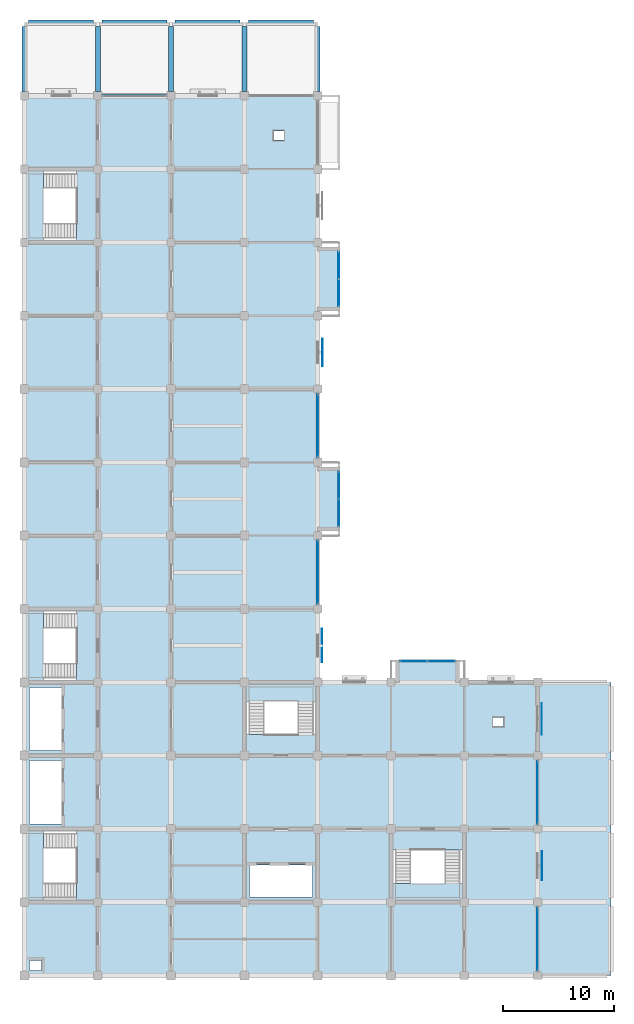
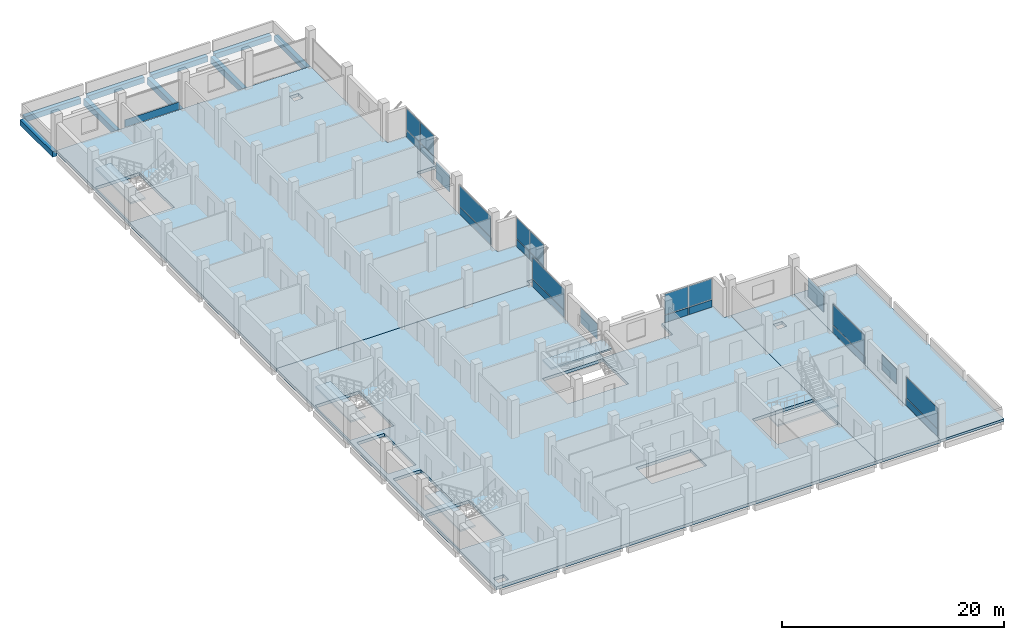
# One storey, part 6 of 15: 25 plates, 9 beams, 9 slabs, 13 elements without a shape of their own.
"""IFC4 building model written with IfcOpenShell, lengths in metres."""

from ifc_helpers import new_model, si_unit, direction, frame, origin, origin_2d, place, context, subcontext, project, spatial, polyline, rectangle, outline, extrude, material, layer, layer_set, material_profile, profile_set, type_object, element, aggregate, save


model = new_model("IFC4")

# Units and contexts
model_context = context("Model", 3, precision=1e-05, world=origin(), true_north=direction((0.0, 1.0)))
body_context = subcontext(model_context, "Body", "Model", "MODEL_VIEW")
ifc_project = project(units=[si_unit("LENGTHUNIT", "METRE"), si_unit("AREAUNIT", "SQUARE_METRE"), si_unit("VOLUMEUNIT", "CUBIC_METRE"), si_unit("PLANEANGLEUNIT", "RADIAN"), si_unit("MASSUNIT", "GRAM", prefix="KILO")], contexts=[model_context])

# Site, building, storey
site_placement = place(None, origin())
site = spatial("IfcSite", under=ifc_project, at=site_placement, CompositionType="ELEMENT")
building_placement = place(site_placement, origin())
building = spatial("IfcBuilding", under=site, at=building_placement, Name="Rusizi Kubbe Research Institute", CompositionType="ELEMENT")
storey_placement = place(building_placement, frame((0.0, 0.0, 27.0)))
storey = spatial("IfcBuildingStorey", under=building, at=storey_placement, Name="L06", CompositionType="ELEMENT", Elevation=27.0)

# Beams
ifc_material_1 = material(Name="Concrete C40/50", Category="concrete")
ifc_material_profile_1 = material_profile(ifc_material_1, rectangle(XDim=0.449951171875, YDim=0.60009765625, at=origin_2d()), Name="RC450x600")
ifc_profile_set_1 = profile_set([ifc_material_profile_1], Name="Concrete C40/50")
beam_type_1 = type_object("IfcBeamType", Name="BM-RC450x600", PredefinedType="SPANDREL", material=ifc_profile_set_1)
beam_1_placement = place(storey_placement, frame((0.375, 85.800048828125, -0.6298828125), z_axis=(1.0, 0.0, 0.0), x_axis=(0.0, 1.0, 0.0)))
element("IfcBeam", 1, at=beam_1_placement, inside=storey, type_object=beam_type_1, Name="Grid Beam H L06 (0,13)", PredefinedType="SPANDREL", context=body_context, shape_type="SweptSolid", body=[
    extrude(rectangle(XDim=0.449951171875, YDim=0.60009765625, at=origin_2d()), origin(), (0.0, 0.0, 1.0), 5.85009765625),
])
beam_2_placement = place(storey_placement, frame((6.97509765625, 85.800048828125, -0.6298828125), z_axis=(1.0, 0.0, 0.0), x_axis=(0.0, 1.0, 0.0)))
element("IfcBeam", 2, at=beam_2_placement, inside=storey, type_object=beam_type_1, Name="Grid Beam H L06 (1,13)", PredefinedType="SPANDREL", context=body_context, shape_type="SweptSolid", body=[
    extrude(rectangle(XDim=0.449951171875, YDim=0.60009765625, at=origin_2d()), origin(), (0.0, 0.0, 1.0), 5.849853515625),
])
beam_3_placement = place(storey_placement, frame((13.574951171875, 85.800048828125, -0.6298828125), z_axis=(1.0, 0.0, 0.0), x_axis=(0.0, 1.0, 0.0)))
element("IfcBeam", 3, at=beam_3_placement, inside=storey, type_object=beam_type_1, Name="Grid Beam H L06 (2,13)", PredefinedType="SPANDREL", context=body_context, shape_type="SweptSolid", body=[
    extrude(rectangle(XDim=0.449951171875, YDim=0.60009765625, at=origin_2d()), origin(), (0.0, 0.0, 1.0), 5.85009765625),
])
beam_4_placement = place(storey_placement, frame((20.175048828125, 85.800048828125, -0.6298828125), z_axis=(1.0, 0.0, 0.0), x_axis=(0.0, 1.0, 0.0)))
element("IfcBeam", 4, at=beam_4_placement, inside=storey, type_object=beam_type_1, Name="Grid Beam H L06 (3,13)", PredefinedType="SPANDREL", context=body_context, shape_type="SweptSolid", body=[
    extrude(rectangle(XDim=0.449951171875, YDim=0.60009765625, at=origin_2d()), origin(), (0.0, 0.0, 1.0), 5.849853515625),
])
for number, where, z_axis, x_axis, name in (
    (5, (0.0, 79.574951171875, -0.6298828125), (0.0, 1.0, 0.0), (-1.0, 0.0, 0.0), "Grid Beam V L06 (0,12)"),
    (6, (26.39990234375, 79.574951171875, -0.6298828125), (0.0, 1.0, 0.0), (-1.0, 0.0, 0.0), "Grid Beam V L06 (4,12)"),
):
    element("IfcBeam", number, at=place(storey_placement, frame(where, z_axis=z_axis, x_axis=x_axis)), inside=storey, type_object=beam_type_1, Name=name, PredefinedType="SPANDREL", context=body_context, shape_type="SweptSolid", body=[
        extrude(rectangle(XDim=0.449951171875, YDim=0.60009765625, at=origin_2d()), origin(), (0.0, 0.0, 1.0), 5.85009765625),
    ])
ifc_material_2 = material(Name="Concrete C40/50", Category="concrete")
ifc_material_profile_2 = material_profile(ifc_material_2, rectangle(XDim=0.449951171875, YDim=0.699951171875, at=origin_2d()), Name="RC450x700B")
ifc_profile_set_2 = profile_set([ifc_material_profile_2], Name="Concrete C40/50")
beam_type_2 = type_object("IfcBeamType", Name="BM-RC450x700", PredefinedType="BEAM", material=ifc_profile_set_2)
for number, where, z_axis, x_axis, name in (
    (7, (6.60009765625, 79.574951171875, -0.679931640625), (0.0, 1.0, 0.0), (-1.0, 0.0, 0.0), "Grid Beam V L06 (1,12)"),
    (8, (13.199951171875, 79.574951171875, -0.679931640625), (0.0, 1.0, 0.0), (-1.0, 0.0, 0.0), "Grid Beam V L06 (2,12)"),
    (9, (19.800048828125, 79.574951171875, -0.679931640625), (0.0, 1.0, 0.0), (-1.0, 0.0, 0.0), "Grid Beam V L06 (3,12)"),
):
    element("IfcBeam", number, at=place(storey_placement, frame(where, z_axis=z_axis, x_axis=x_axis)), inside=storey, type_object=beam_type_2, Name=name, PredefinedType="BEAM", context=body_context, shape_type="SweptSolid", body=[
        extrude(rectangle(XDim=0.449951171875, YDim=0.699951171875, at=origin_2d()), origin(), (0.0, 0.0, 1.0), 5.85009765625),
    ])

# Curtain wall, plates
ifc_material_3 = material(Name="Thermally Broken Aluminium and Low-E Glazing", Category="aluminium")
curtain_wall_type_1 = type_object("IfcCurtainWallType", Name="CW-02", PredefinedType="NOTDEFINED", material=ifc_material_3)
curtain_wall_1_placement = place(storey_placement, origin())
curtain_wall_1 = element("IfcCurtainWall", 10, at=curtain_wall_1_placement, inside=storey, type_object=curtain_wall_type_1, Name="Cumba Glazed Curtain Wall CW-CUMBA-L06-072", PredefinedType="NOTDEFINED")
ifc_material_4 = material(Name="Double Low-E Solar Control Insulated Glass", Category="glass")
ifc_layer_1 = layer(ifc_material_4, 0.02392578125)
ifc_layer_set_1 = layer_set([ifc_layer_1], Name="Double Low-E Solar Control Insulated Glass")
plate_type_1 = type_object("IfcPlateType", Name="GL-01", PredefinedType="CURTAIN_PANEL", material=ifc_layer_set_1)
plate_1_placement = place(storey_placement, frame((28.300048828125, 61.456298828125, 0.93017578125), z_axis=(0.0, 0.0, 1.0), x_axis=(0.0, 1.0, 0.0)))
plate_1 = element("IfcPlate", 11, at=plate_1_placement, type_object=plate_type_1, Name="CW-02 panel 1.2", PredefinedType="CURTAIN_PANEL", context=body_context, shape_type="SweptSolid", body=[
    extrude(rectangle(XDim=2.427490234375, YDim=0.02392578125, at=origin_2d()), origin(), (0.0, 0.0, 1.0), 2.280029296875),
])
plate_2_placement = place(storey_placement, frame((28.300048828125, 63.94384765625, 0.93017578125), z_axis=(0.0, 0.0, 1.0), x_axis=(0.0, 1.0, 0.0)))
plate_2 = element("IfcPlate", 12, at=plate_2_placement, type_object=plate_type_1, Name="CW-02 panel 2.2", PredefinedType="CURTAIN_PANEL", context=body_context, shape_type="SweptSolid", body=[
    extrude(rectangle(XDim=2.427490234375, YDim=0.02392578125, at=origin_2d()), origin(), (0.0, 0.0, 1.0), 2.280029296875),
])

curtain_wall_2_placement = place(storey_placement, origin())
curtain_wall_2 = element("IfcCurtainWall", 13, at=curtain_wall_2_placement, inside=storey, type_object=curtain_wall_type_1, Name="Cumba Glazed Curtain Wall CW-CUMBA-L06-075", PredefinedType="NOTDEFINED")
ifc_material_5 = material(Name="Double Low-E Solar Control Insulated Glass", Category="glass")
ifc_layer_2 = layer(ifc_material_5, 0.035888671875)
ifc_layer_set_2 = layer_set([ifc_layer_2], Name="Double Low-E Solar Control Insulated Glass")
plate_type_2 = type_object("IfcPlateType", Name="GL-04", PredefinedType="CURTAIN_PANEL", material=ifc_layer_set_2)
plate_3_placement = place(storey_placement, frame((35.058837890625, 28.300048828125, 0.93505859375), z_axis=(0.0, 0.0, 1.0), x_axis=(1.0, 0.0, 0.0)))
plate_3 = element("IfcPlate", 14, at=plate_3_placement, type_object=plate_type_2, Name="CW-02 panel 1.2", PredefinedType="CURTAIN_PANEL", context=body_context, shape_type="SweptSolid", body=[
    extrude(rectangle(XDim=2.41259765625, YDim=0.035888671875, at=origin_2d()), origin(), (0.0, 0.0, 1.0), 2.264892578125),
])
plate_4_placement = place(storey_placement, frame((37.541259765625, 28.300048828125, 0.93505859375), z_axis=(0.0, 0.0, 1.0), x_axis=(1.0, 0.0, 0.0)))
plate_4 = element("IfcPlate", 15, at=plate_4_placement, type_object=plate_type_2, Name="CW-02 panel 2.2", PredefinedType="CURTAIN_PANEL", context=body_context, shape_type="SweptSolid", body=[
    extrude(rectangle(XDim=2.41259765625, YDim=0.035888671875, at=origin_2d()), origin(), (0.0, 0.0, 1.0), 2.264892578125),
])

# Curtain wall, plate
ifc_material_6 = material(Name="Thermally Broken Aluminium and Low-E Glazing", Category="aluminium")
curtain_wall_type_2 = type_object("IfcCurtainWallType", Name="CW-08", PredefinedType="NOTDEFINED", material=ifc_material_6)
curtain_wall_3_placement = place(storey_placement, origin())
curtain_wall_3 = element("IfcCurtainWall", 16, at=curtain_wall_3_placement, inside=storey, type_object=curtain_wall_type_2, Name="Unitised Facade Curtain Wall CW-L06-V-07-00", PredefinedType="NOTDEFINED")
ifc_material_7 = material(Name="Double Low-E Solar Control Insulated Glass", Category="glass")
ifc_layer_3 = layer(ifc_material_7, 0.0400390625)
ifc_layer_set_3 = layer_set([ifc_layer_3], Name="Double Low-E Solar Control Insulated Glass")
plate_type_3 = type_object("IfcPlateType", Name="GL-05", PredefinedType="CURTAIN_PANEL", material=ifc_layer_set_3)
plate_5_placement = place(storey_placement, frame((46.199951171875, 3.300048828125, 0.93017578125), z_axis=(0.0, 0.0, 1.0), x_axis=(0.0, 1.0, 0.0)))
plate_5 = element("IfcPlate", 17, at=plate_5_placement, type_object=plate_type_3, Name="CW-08 panel 1.2", PredefinedType="CURTAIN_PANEL", context=body_context, shape_type="SweptSolid", body=[
    extrude(rectangle(XDim=5.639892578125, YDim=0.0400390625, at=origin_2d()), origin(), (0.0, 0.0, 1.0), 2.280029296875),
])

curtain_wall_4_placement = place(storey_placement, origin())
curtain_wall_4 = element("IfcCurtainWall", 18, at=curtain_wall_4_placement, inside=storey, type_object=curtain_wall_type_2, Name="Unitised Facade Curtain Wall CW-L06-V-04-05", PredefinedType="NOTDEFINED")
ifc_material_8 = material(Name="Double Low-E Solar Control Insulated Glass", Category="glass")
ifc_layer_4 = layer(ifc_material_8, 0.0439453125)
ifc_layer_set_4 = layer_set([ifc_layer_4], Name="Double Low-E Solar Control Insulated Glass")
plate_type_4 = type_object("IfcPlateType", Name="GL-06", PredefinedType="CURTAIN_PANEL", material=ifc_layer_set_4)
plate_6_placement = place(storey_placement, frame((26.39990234375, 36.300048828125, 0.93017578125), z_axis=(0.0, 0.0, 1.0), x_axis=(0.0, 1.0, 0.0)))
plate_6 = element("IfcPlate", 19, at=plate_6_placement, type_object=plate_type_4, Name="CW-08 panel 1.2", PredefinedType="CURTAIN_PANEL", context=body_context, shape_type="SweptSolid", body=[
    extrude(rectangle(XDim=5.64990234375, YDim=0.0439453125, at=origin_2d()), origin(), (0.0, 0.0, 1.0), 2.280029296875),
])

ifc_material_9 = material(Name="Thermally Broken Aluminium and Low-E Glazing", Category="aluminium")
curtain_wall_type_3 = type_object("IfcCurtainWallType", Name="CW-09", PredefinedType="NOTDEFINED", material=ifc_material_9)
curtain_wall_5_placement = place(storey_placement, origin())
curtain_wall_5 = element("IfcCurtainWall", 20, at=curtain_wall_5_placement, inside=storey, type_object=curtain_wall_type_3, Name="Unitised Facade Curtain Wall CW-L06-V-07-02", PredefinedType="NOTDEFINED")
plate_7_placement = place(storey_placement, frame((46.199951171875, 16.5, 0.93017578125), z_axis=(0.0, 0.0, 1.0), x_axis=(0.0, 1.0, 0.0)))
plate_7 = element("IfcPlate", 21, at=plate_7_placement, type_object=plate_type_4, Name="CW-09 panel 1.2", PredefinedType="CURTAIN_PANEL", context=body_context, shape_type="SweptSolid", body=[
    extrude(rectangle(XDim=5.6298828125, YDim=0.0439453125, at=origin_2d()), origin(), (0.0, 0.0, 1.0), 2.280029296875),
])

# Curtain wall, plates
curtain_wall_6_placement = place(storey_placement, origin())
curtain_wall_6 = element("IfcCurtainWall", 22, at=curtain_wall_6_placement, inside=storey, type_object=curtain_wall_type_1, Name="Cumba Glazed Curtain Wall CW-CUMBA-L06-070", PredefinedType="NOTDEFINED")
ifc_material_10 = material(Name="Double Low-E Solar Control Insulated Glass", Category="glass")
ifc_layer_5 = layer(ifc_material_10, 0.048095703125)
ifc_layer_set_5 = layer_set([ifc_layer_5], Name="Double Low-E Solar Control Insulated Glass")
plate_type_5 = type_object("IfcPlateType", Name="GL-07", PredefinedType="CURTAIN_PANEL", material=ifc_layer_set_5)
plate_8_placement = place(storey_placement, frame((28.300048828125, 41.659912109375, 0.9326171875), z_axis=(0.0, 0.0, 1.0), x_axis=(0.0, 1.0, 0.0)))
plate_8 = element("IfcPlate", 23, at=plate_8_placement, type_object=plate_type_5, Name="CW-02 panel 1.2", PredefinedType="CURTAIN_PANEL", context=body_context, shape_type="SweptSolid", body=[
    extrude(rectangle(XDim=2.405029296875, YDim=0.048095703125, at=origin_2d()), origin(), (0.0, 0.0, 1.0), 2.2724609375),
])
plate_9_placement = place(storey_placement, frame((28.300048828125, 44.139892578125, 0.9326171875), z_axis=(0.0, 0.0, 1.0), x_axis=(0.0, 1.0, 0.0)))
plate_9 = element("IfcPlate", 24, at=plate_9_placement, type_object=plate_type_5, Name="CW-02 panel 2.2", PredefinedType="CURTAIN_PANEL", context=body_context, shape_type="SweptSolid", body=[
    extrude(rectangle(XDim=2.405029296875, YDim=0.048095703125, at=origin_2d()), origin(), (0.0, 0.0, 1.0), 2.2724609375),
])

# Curtain wall, plate
curtain_wall_7_placement = place(storey_placement, origin())
curtain_wall_7 = element("IfcCurtainWall", 25, at=curtain_wall_7_placement, inside=storey, type_object=curtain_wall_type_3, Name="Unitised Facade Curtain Wall CW-L06-V-04-07", PredefinedType="NOTDEFINED")
ifc_material_11 = material(Name="Double Low-E Solar Control Insulated Glass", Category="glass")
ifc_layer_6 = layer(ifc_material_11, 0.052001953125)
ifc_layer_set_6 = layer_set([ifc_layer_6], Name="Double Low-E Solar Control Insulated Glass")
plate_type_6 = type_object("IfcPlateType", Name="GL-08", PredefinedType="CURTAIN_PANEL", material=ifc_layer_set_6)
plate_10_placement = place(storey_placement, frame((26.39990234375, 49.5, 0.93505859375), z_axis=(0.0, 0.0, 1.0), x_axis=(0.0, 1.0, 0.0)))
plate_10 = element("IfcPlate", 26, at=plate_10_placement, type_object=plate_type_6, Name="CW-09 panel 1.2", PredefinedType="CURTAIN_PANEL", context=body_context, shape_type="SweptSolid", body=[
    extrude(rectangle(XDim=5.6298828125, YDim=0.052001953125, at=origin_2d()), origin(), (0.0, 0.0, 1.0), 2.264892578125),
])

# Plates
ifc_material_12 = material(Name="Perforated Architectural Bronze Screen", Category="steel")
ifc_layer_7 = layer(ifc_material_12, 0.02001953125)
ifc_layer_set_7 = layer_set([ifc_layer_7], Name="Perforated Architectural Bronze Screen")
plate_type_7 = type_object("IfcPlateType", Name="MS-02", PredefinedType="SHEET", material=ifc_layer_set_7)
plate_11_placement = place(storey_placement, frame((46.597412109375, 9.89990234375, 0.76025390625), z_axis=(0.0, 0.0, 1.0), x_axis=(0.0, 1.0, 0.0)))
element("IfcPlate", 27, at=plate_11_placement, inside=storey, type_object=plate_type_7, Name="Mashrabiya Perforated Screen MS-02-055", PredefinedType="SHEET", context=body_context, shape_type="SweptSolid", body=[
    extrude(rectangle(XDim=2.60009765625, YDim=0.02001953125, at=origin_2d()), origin(), (0.0, 0.0, 1.0), 1.679931640625),
])
ifc_material_13 = material(Name="Perforated Architectural Bronze Screen", Category="steel")
ifc_layer_8 = layer(ifc_material_13, 0.02197265625)
ifc_layer_set_8 = layer_set([ifc_layer_8], Name="Perforated Architectural Bronze Screen")
plate_type_8 = type_object("IfcPlateType", Name="MS-03", PredefinedType="SHEET", material=ifc_layer_set_8)
plate_12_placement = place(storey_placement, frame((46.58251953125, 23.10009765625, 0.760009765625), z_axis=(0.0, 0.0, 1.0), x_axis=(0.0, 1.0, 0.0)))
element("IfcPlate", 28, at=plate_12_placement, inside=storey, type_object=plate_type_8, Name="Mashrabiya Perforated Screen MS-03-056", PredefinedType="SHEET", context=body_context, shape_type="SweptSolid", body=[
    extrude(rectangle(XDim=2.800048828125, YDim=0.02197265625, at=origin_2d()), origin(), (0.0, 0.0, 1.0), 2.1201171875),
])
ifc_material_14 = material(Name="Perforated Architectural Bronze Screen", Category="steel")
ifc_layer_9 = layer(ifc_material_14, 0.02392578125)
ifc_layer_set_9 = layer_set([ifc_layer_9], Name="Perforated Architectural Bronze Screen")
plate_type_9 = type_object("IfcPlateType", Name="MS-05", PredefinedType="SHEET", material=ifc_layer_set_9)
plate_13_placement = place(storey_placement, frame((26.797607421875, 29.699951171875, 0.76025390625), z_axis=(0.0, 0.0, 1.0), x_axis=(0.0, 1.0, 0.0)))
element("IfcPlate", 29, at=plate_13_placement, inside=storey, type_object=plate_type_9, Name="Mashrabiya Perforated Screen MS-05-052", PredefinedType="SHEET", context=body_context, shape_type="SweptSolid", body=[
    extrude(rectangle(XDim=3.0, YDim=0.02392578125, at=origin_2d()), origin(), (0.0, 0.0, 1.0), 1.679931640625),
])
ifc_material_15 = material(Name="Perforated Architectural Bronze Screen", Category="steel")
ifc_layer_10 = layer(ifc_material_15, 0.01904296875)
ifc_layer_set_10 = layer_set([ifc_layer_10], Name="Perforated Architectural Bronze Screen")
plate_type_10 = type_object("IfcPlateType", Name="MS-06", PredefinedType="SHEET", material=ifc_layer_set_10)
plate_14_placement = place(storey_placement, frame((26.830078125, 56.10009765625, 0.760009765625), z_axis=(0.0, 0.0, 1.0), x_axis=(0.0, 1.0, 0.0)))
element("IfcPlate", 30, at=plate_14_placement, inside=storey, type_object=plate_type_10, Name="Mashrabiya Perforated Screen MS-06-053", PredefinedType="SHEET", context=body_context, shape_type="SweptSolid", body=[
    extrude(rectangle(XDim=2.5, YDim=0.01904296875, at=origin_2d()), origin(), (0.0, 0.0, 1.0), 1.89990234375),
])

# Slabs
ifc_material_16 = material(Name="Concrete C40/50", Category="concrete")
ifc_layer_11 = layer(ifc_material_16, 0.330078125)
ifc_layer_set_11 = layer_set([ifc_layer_11], Name="Concrete C40/50")
slab_type_1 = type_object("IfcSlabType", Name="SL-F330", PredefinedType="FLOOR", material=ifc_layer_set_11)
slab_1_placement = place(storey_placement, frame((0.0, 0.0, -0.330078125)))
element("IfcSlab", 31, at=slab_1_placement, inside=storey, type_object=slab_type_1, Name="Structural Slab L06 CORE", PredefinedType="FLOOR", context=body_context, shape_type="SweptSolid", body=[
    extrude(outline(polyline([(0.0, 39.60009765625), (6.60009765625, 39.60009765625), (13.199951171875, 39.60009765625), (19.800048828125, 39.60009765625), (26.39990234375, 39.60009765625), (26.39990234375, 33.0), (26.39990234375, 26.39990234375), (33.0, 26.39990234375), (33.60009765625, 26.39990234375), (33.60009765625, 28.39990234375), (39.0, 28.39990234375), (39.0, 26.39990234375), (39.60009765625, 26.39990234375), (39.60009765625, 19.800048828125), (39.60009765625, 13.199951171875), (39.60009765625, 6.60009765625), (39.60009765625, 0.0), (33.0, 0.0), (26.39990234375, 0.0), (19.800048828125, 0.0), (13.199951171875, 0.0), (6.60009765625, 0.0), (0.0, 0.0), (0.0, 6.60009765625), (0.0, 13.199951171875), (0.0, 19.800048828125), (0.0, 26.39990234375), (0.0, 33.0), (0.0, 39.60009765625)]), holes=[polyline([(0.449951171875, 1.35009765625), (0.449951171875, 0.449951171875), (1.550048828125, 0.449951171875), (1.550048828125, 1.35009765625), (0.449951171875, 1.35009765625)]), polyline([(20.25, 9.949951171875), (20.25, 7.050048828125), (25.949951171875, 7.050048828125), (25.949951171875, 9.949951171875), (20.25, 9.949951171875)]), polyline([(33.139892578125, 11.300048828125), (33.139892578125, 6.739990234375), (39.4599609375, 6.739990234375), (39.4599609375, 11.300048828125), (33.139892578125, 11.300048828125)]), polyline([(0.139892578125, 13.06005859375), (0.139892578125, 6.739990234375), (4.699951171875, 6.739990234375), (4.699951171875, 13.06005859375), (0.139892578125, 13.06005859375)]), polyline([(0.449951171875, 19.35009765625), (0.449951171875, 13.64990234375), (3.35009765625, 13.64990234375), (3.35009765625, 19.35009765625), (0.449951171875, 19.35009765625)]), polyline([(0.449951171875, 25.949951171875), (0.449951171875, 20.25), (3.35009765625, 20.25), (3.35009765625, 25.949951171875), (0.449951171875, 25.949951171875)]), polyline([(19.93994140625, 26.260009765625), (19.93994140625, 21.699951171875), (26.260009765625, 21.699951171875), (26.260009765625, 26.260009765625), (19.93994140625, 26.260009765625)]), polyline([(4.699951171875, 32.860107421875), (0.139892578125, 32.860107421875), (0.139892578125, 26.5400390625), (4.699951171875, 26.5400390625), (4.699951171875, 32.860107421875)])]), origin(), (0.0, 0.0, 1.0), 0.330078125),
])
slab_2_placement = place(storey_placement, frame((0.0, 0.0, -0.330078125)))
element("IfcSlab", 32, at=slab_2_placement, inside=storey, type_object=slab_type_1, Name="Structural Slab L06 NORTHA", PredefinedType="FLOOR", context=body_context, shape_type="SweptSolid", body=[
    extrude(outline(polyline([(28.39990234375, 40.199951171875), (26.39990234375, 40.199951171875), (26.39990234375, 39.60009765625), (19.800048828125, 39.60009765625), (13.199951171875, 39.60009765625), (6.60009765625, 39.60009765625), (0.0, 39.60009765625), (0.0, 46.199951171875), (0.0, 52.800048828125), (0.0, 59.39990234375), (0.0, 66.0), (0.0, 72.60009765625), (0.0, 79.199951171875), (6.60009765625, 79.199951171875), (13.199951171875, 79.199951171875), (19.800048828125, 79.199951171875), (26.39990234375, 79.199951171875), (26.39990234375, 72.60009765625), (26.39990234375, 66.0), (26.39990234375, 65.39990234375), (28.39990234375, 65.39990234375), (28.39990234375, 60.0), (26.39990234375, 60.0), (26.39990234375, 59.39990234375), (26.39990234375, 52.800048828125), (26.39990234375, 46.199951171875), (26.39990234375, 45.60009765625), (28.39990234375, 45.60009765625), (28.39990234375, 40.199951171875)]), holes=[polyline([(4.699951171875, 72.4599609375), (0.139892578125, 72.4599609375), (0.139892578125, 66.139892578125), (4.699951171875, 66.139892578125), (4.699951171875, 72.4599609375)]), polyline([(23.35009765625, 76.050048828125), (22.39990234375, 76.050048828125), (22.39990234375, 75.199951171875), (23.35009765625, 75.199951171875), (23.35009765625, 76.050048828125)])]), origin(), (0.0, 0.0, 1.0), 0.330078125),
])
slab_3_placement = place(storey_placement, frame((0.0, 0.0, -0.330078125)))
element("IfcSlab", 33, at=slab_3_placement, inside=storey, type_object=slab_type_1, Name="Structural Slab L06 EAST", PredefinedType="FLOOR", context=body_context, shape_type="SweptSolid", body=[
    extrude(outline(polyline([(39.60009765625, 6.60009765625), (39.60009765625, 13.199951171875), (39.60009765625, 19.800048828125), (39.60009765625, 26.39990234375), (46.199951171875, 26.39990234375), (46.199951171875, 19.800048828125), (46.199951171875, 13.199951171875), (46.199951171875, 6.60009765625), (46.199951171875, 0.0), (39.60009765625, 0.0), (39.60009765625, 6.60009765625)]), holes=[polyline([(42.199951171875, 23.25), (42.199951171875, 22.39990234375), (43.14990234375, 22.39990234375), (43.14990234375, 23.25), (42.199951171875, 23.25)])]), origin(), (0.0, 0.0, 1.0), 0.330078125),
])

# Stair, slab
ifc_material_17 = material(Name="Concrete C40/50", Category="concrete")
stair_type_1 = type_object("IfcStairType", Name="ST-H420A", PredefinedType="HALF_TURN_STAIR", material=ifc_material_17)
stair_1_placement = place(storey_placement, origin())
stair_1 = element("IfcStair", 34, at=stair_1_placement, inside=storey, type_object=stair_type_1, Name="Protected Exit Stair ST1 (L06)", PredefinedType="HALF_TURN_STAIR")
ifc_material_18 = material(Name="Concrete C40/50", Category="concrete")
ifc_layer_12 = layer(ifc_material_18, 0.179931640625)
ifc_layer_set_12 = layer_set([ifc_layer_12], Name="Concrete C40/50")
slab_type_2 = type_object("IfcSlabType", Name="SL-L180", PredefinedType="LANDING", material=ifc_layer_set_12)
slab_4_placement = place(storey_placement, frame((0.0, 0.0, 1.919921875)))
slab_4 = element("IfcSlab", 35, at=slab_4_placement, type_object=slab_type_2, Name="ST1 landing 1", PredefinedType="LANDING", context=body_context, shape_type="SweptSolid", body=[
    extrude(outline(polyline([(1.7060546875, 13.06005859375), (0.139892578125, 13.06005859375), (0.139892578125, 6.739990234375), (1.7060546875, 6.739990234375), (1.7060546875, 13.06005859375)])), origin(), (0.0, 0.0, 1.0), 0.18017578125),
])
aggregate(stair_1, [slab_4])

stair_2_placement = place(storey_placement, origin())
stair_2 = element("IfcStair", 36, at=stair_2_placement, inside=storey, type_object=stair_type_1, Name="Protected Exit Stair ST2 (L06)", PredefinedType="HALF_TURN_STAIR")
slab_5_placement = place(storey_placement, frame((0.0, 0.0, 1.919921875)))
slab_5 = element("IfcSlab", 37, at=slab_5_placement, type_object=slab_type_2, Name="ST2 landing 1", PredefinedType="LANDING", context=body_context, shape_type="SweptSolid", body=[
    extrude(outline(polyline([(1.7060546875, 32.860107421875), (0.139892578125, 32.860107421875), (0.139892578125, 26.5400390625), (1.7060546875, 26.5400390625), (1.7060546875, 32.860107421875)])), origin(), (0.0, 0.0, 1.0), 0.18017578125),
])
aggregate(stair_2, [slab_5])

ifc_material_19 = material(Name="Concrete C40/50", Category="concrete")
stair_type_2 = type_object("IfcStairType", Name="ST-H420B", PredefinedType="HALF_TURN_STAIR", material=ifc_material_19)
stair_3_placement = place(storey_placement, origin())
stair_3 = element("IfcStair", 38, at=stair_3_placement, inside=storey, type_object=stair_type_2, Name="Protected Exit Stair ST3 (L06)", PredefinedType="HALF_TURN_STAIR")
slab_6_placement = place(storey_placement, frame((0.0, 0.0, 1.919921875)))
slab_6 = element("IfcSlab", 39, at=slab_6_placement, type_object=slab_type_2, Name="ST3 landing 1", PredefinedType="LANDING", context=body_context, shape_type="SweptSolid", body=[
    extrude(outline(polyline([(26.260009765625, 24.694091796875), (26.260009765625, 26.260009765625), (19.93994140625, 26.260009765625), (19.93994140625, 24.694091796875), (26.260009765625, 24.694091796875)])), origin(), (0.0, 0.0, 1.0), 0.18017578125),
])
aggregate(stair_3, [slab_6])

stair_4_placement = place(storey_placement, origin())
stair_4 = element("IfcStair", 40, at=stair_4_placement, inside=storey, type_object=stair_type_2, Name="Protected Exit Stair ST4 (L06)", PredefinedType="HALF_TURN_STAIR")
slab_7_placement = place(storey_placement, frame((0.0, 0.0, 1.919921875)))
slab_7 = element("IfcSlab", 41, at=slab_7_placement, type_object=slab_type_2, Name="ST4 landing 1", PredefinedType="LANDING", context=body_context, shape_type="SweptSolid", body=[
    extrude(outline(polyline([(33.139892578125, 8.305908203125), (33.139892578125, 6.739990234375), (39.4599609375, 6.739990234375), (39.4599609375, 8.305908203125), (33.139892578125, 8.305908203125)])), origin(), (0.0, 0.0, 1.0), 0.18017578125),
])
aggregate(stair_4, [slab_7])

stair_5_placement = place(storey_placement, origin())
stair_5 = element("IfcStair", 42, at=stair_5_placement, inside=storey, type_object=stair_type_1, Name="Protected Exit Stair ST5 (L06)", PredefinedType="HALF_TURN_STAIR")
slab_8_placement = place(storey_placement, frame((0.0, 0.0, 1.919921875)))
slab_8 = element("IfcSlab", 43, at=slab_8_placement, type_object=slab_type_2, Name="ST5 landing 1", PredefinedType="LANDING", context=body_context, shape_type="SweptSolid", body=[
    extrude(outline(polyline([(1.7060546875, 72.4599609375), (0.139892578125, 72.4599609375), (0.139892578125, 66.139892578125), (1.7060546875, 66.139892578125), (1.7060546875, 72.4599609375)])), origin(), (0.0, 0.0, 1.0), 0.18017578125),
])
aggregate(stair_5, [slab_8])

# Slab
ifc_material_20 = material(Name="Concrete C40/50", Category="concrete")
ifc_layer_13 = layer(ifc_material_20, 0.260009765625)
ifc_layer_set_13 = layer_set([ifc_layer_13], Name="Concrete C40/50")
slab_type_3 = type_object("IfcSlabType", Name="SL-R260", PredefinedType="ROOF", material=ifc_layer_set_13)
slab_9_placement = place(storey_placement, frame((0.0, 0.0, -0.260009765625)))
element("IfcSlab", 44, at=slab_9_placement, inside=storey, type_object=slab_type_3, Name="Stepback Maintenance Roof Slab L06-1", PredefinedType="ROOF", context=body_context, shape_type="SweptSolid", body=[
    extrude(outline(polyline([(52.800048828125, 26.39990234375), (52.800048828125, 19.800048828125), (52.800048828125, 13.199951171875), (52.800048828125, 6.60009765625), (52.800048828125, 0.0), (46.205078125, 0.0), (46.205078125, 26.39990234375), (52.800048828125, 26.39990234375)])), origin(), (0.0, 0.0, 1.0), 0.260009765625),
])

# Curtain wall, plate
curtain_wall_8_placement = place(storey_placement, origin())
curtain_wall_8 = element("IfcCurtainWall", 45, at=curtain_wall_8_placement, inside=storey, type_object=curtain_wall_type_3, Name="Unitised Facade Curtain Wall CW-L06-H-01-12", PredefinedType="NOTDEFINED")
ifc_material_21 = material(Name="Ceramic-Frit Insulated Spandrel Panel", Category="glass")
ifc_layer_14 = layer(ifc_material_21, 0.05810546875)
ifc_layer_set_14 = layer_set([ifc_layer_14], Name="Ceramic-Frit Insulated Spandrel Panel")
plate_type_11 = type_object("IfcPlateType", Name="SP-01", PredefinedType="CURTAIN_PANEL", material=ifc_layer_set_14)
plate_15_placement = place(storey_placement, frame((9.89990234375, 79.199951171875, 0.06005859375), z_axis=(0.0, 0.0, 1.0), x_axis=(1.0, 0.0, 0.0)))
plate_15 = element("IfcPlate", 46, at=plate_15_placement, type_object=plate_type_11, Name="CW-09 panel 1.1", PredefinedType="CURTAIN_PANEL", context=body_context, shape_type="SweptSolid", body=[
    extrude(rectangle(XDim=5.659912109375, YDim=0.05810546875, at=origin_2d()), origin(), (0.0, 0.0, 1.0), 0.81005859375),
])
aggregate(curtain_wall_8, [plate_15])

# Plate
plate_16_placement = place(storey_placement, frame((28.300048828125, 61.456298828125, 0.06005859375), z_axis=(0.0, 0.0, 1.0), x_axis=(0.0, 1.0, 0.0)))
plate_16 = element("IfcPlate", 47, at=plate_16_placement, type_object=plate_type_11, Name="CW-02 panel 1.1", PredefinedType="CURTAIN_PANEL", context=body_context, shape_type="SweptSolid", body=[
    extrude(rectangle(XDim=2.427490234375, YDim=0.05810546875, at=origin_2d()), origin(), (0.0, 0.0, 1.0), 0.81005859375),
])

plate_17_placement = place(storey_placement, frame((28.300048828125, 63.94384765625, 0.06005859375), z_axis=(0.0, 0.0, 1.0), x_axis=(0.0, 1.0, 0.0)))
plate_17 = element("IfcPlate", 48, at=plate_17_placement, type_object=plate_type_11, Name="CW-02 panel 2.1", PredefinedType="CURTAIN_PANEL", context=body_context, shape_type="SweptSolid", body=[
    extrude(rectangle(XDim=2.427490234375, YDim=0.05810546875, at=origin_2d()), origin(), (0.0, 0.0, 1.0), 0.81005859375),
])

aggregate(curtain_wall_1, [plate_16, plate_1, plate_17, plate_2])

plate_18_placement = place(storey_placement, frame((46.199951171875, 3.300048828125, 0.06005859375), z_axis=(0.0, 0.0, 1.0), x_axis=(0.0, 1.0, 0.0)))
plate_18 = element("IfcPlate", 49, at=plate_18_placement, type_object=plate_type_11, Name="CW-08 panel 1.1", PredefinedType="CURTAIN_PANEL", context=body_context, shape_type="SweptSolid", body=[
    extrude(rectangle(XDim=5.639892578125, YDim=0.05810546875, at=origin_2d()), origin(), (0.0, 0.0, 1.0), 0.81005859375),
])

aggregate(curtain_wall_3, [plate_18, plate_5])

ifc_material_22 = material(Name="Ceramic-Frit Insulated Spandrel Panel", Category="glass")
ifc_layer_15 = layer(ifc_material_22, 0.06396484375)
ifc_layer_set_15 = layer_set([ifc_layer_15], Name="Ceramic-Frit Insulated Spandrel Panel")
plate_type_12 = type_object("IfcPlateType", Name="SP-02", PredefinedType="CURTAIN_PANEL", material=ifc_layer_set_15)
plate_19_placement = place(storey_placement, frame((26.39990234375, 36.300048828125, 0.06005859375), z_axis=(0.0, 0.0, 1.0), x_axis=(0.0, 1.0, 0.0)))
plate_19 = element("IfcPlate", 50, at=plate_19_placement, type_object=plate_type_12, Name="CW-08 panel 1.1", PredefinedType="CURTAIN_PANEL", context=body_context, shape_type="SweptSolid", body=[
    extrude(rectangle(XDim=5.64990234375, YDim=0.06396484375, at=origin_2d()), origin(), (0.0, 0.0, 1.0), 0.81005859375),
])

aggregate(curtain_wall_4, [plate_19, plate_6])

plate_20_placement = place(storey_placement, frame((46.199951171875, 16.5, 0.06005859375), z_axis=(0.0, 0.0, 1.0), x_axis=(0.0, 1.0, 0.0)))
plate_20 = element("IfcPlate", 51, at=plate_20_placement, type_object=plate_type_12, Name="CW-09 panel 1.1", PredefinedType="CURTAIN_PANEL", context=body_context, shape_type="SweptSolid", body=[
    extrude(rectangle(XDim=5.6298828125, YDim=0.06396484375, at=origin_2d()), origin(), (0.0, 0.0, 1.0), 0.81005859375),
])

aggregate(curtain_wall_5, [plate_20, plate_7])

ifc_material_23 = material(Name="Ceramic-Frit Insulated Spandrel Panel", Category="glass")
ifc_layer_16 = layer(ifc_material_23, 0.070068359375)
ifc_layer_set_16 = layer_set([ifc_layer_16], Name="Ceramic-Frit Insulated Spandrel Panel")
plate_type_13 = type_object("IfcPlateType", Name="SP-03", PredefinedType="CURTAIN_PANEL", material=ifc_layer_set_16)
plate_21_placement = place(storey_placement, frame((28.300048828125, 41.659912109375, 0.06494140625), z_axis=(0.0, 0.0, 1.0), x_axis=(0.0, 1.0, 0.0)))
plate_21 = element("IfcPlate", 52, at=plate_21_placement, type_object=plate_type_13, Name="CW-02 panel 1.1", PredefinedType="CURTAIN_PANEL", context=body_context, shape_type="SweptSolid", body=[
    extrude(rectangle(XDim=2.405029296875, YDim=0.070068359375, at=origin_2d()), origin(), (0.0, 0.0, 1.0), 0.802490234375),
])

plate_22_placement = place(storey_placement, frame((28.300048828125, 44.139892578125, 0.06494140625), z_axis=(0.0, 0.0, 1.0), x_axis=(0.0, 1.0, 0.0)))
plate_22 = element("IfcPlate", 53, at=plate_22_placement, type_object=plate_type_13, Name="CW-02 panel 2.1", PredefinedType="CURTAIN_PANEL", context=body_context, shape_type="SweptSolid", body=[
    extrude(rectangle(XDim=2.405029296875, YDim=0.070068359375, at=origin_2d()), origin(), (0.0, 0.0, 1.0), 0.802490234375),
])

aggregate(curtain_wall_6, [plate_21, plate_8, plate_22, plate_9])

ifc_material_24 = material(Name="Ceramic-Frit Insulated Spandrel Panel", Category="glass")
ifc_layer_17 = layer(ifc_material_24, 0.075927734375)
ifc_layer_set_17 = layer_set([ifc_layer_17], Name="Ceramic-Frit Insulated Spandrel Panel")
plate_type_14 = type_object("IfcPlateType", Name="SP-04", PredefinedType="CURTAIN_PANEL", material=ifc_layer_set_17)
plate_23_placement = place(storey_placement, frame((26.39990234375, 49.5, 0.070068359375), z_axis=(0.0, 0.0, 1.0), x_axis=(0.0, 1.0, 0.0)))
plate_23 = element("IfcPlate", 54, at=plate_23_placement, type_object=plate_type_14, Name="CW-09 panel 1.1", PredefinedType="CURTAIN_PANEL", context=body_context, shape_type="SweptSolid", body=[
    extrude(rectangle(XDim=5.6298828125, YDim=0.075927734375, at=origin_2d()), origin(), (0.0, 0.0, 1.0), 0.794921875),
])

aggregate(curtain_wall_7, [plate_23, plate_10])

plate_24_placement = place(storey_placement, frame((35.058837890625, 28.300048828125, 0.070068359375), z_axis=(0.0, 0.0, 1.0), x_axis=(1.0, 0.0, 0.0)))
plate_24 = element("IfcPlate", 55, at=plate_24_placement, type_object=plate_type_14, Name="CW-02 panel 1.1", PredefinedType="CURTAIN_PANEL", context=body_context, shape_type="SweptSolid", body=[
    extrude(rectangle(XDim=2.41259765625, YDim=0.075927734375, at=origin_2d()), origin(), (0.0, 0.0, 1.0), 0.794921875),
])

plate_25_placement = place(storey_placement, frame((37.541259765625, 28.300048828125, 0.070068359375), z_axis=(0.0, 0.0, 1.0), x_axis=(1.0, 0.0, 0.0)))
plate_25 = element("IfcPlate", 56, at=plate_25_placement, type_object=plate_type_14, Name="CW-02 panel 2.1", PredefinedType="CURTAIN_PANEL", context=body_context, shape_type="SweptSolid", body=[
    extrude(rectangle(XDim=2.41259765625, YDim=0.075927734375, at=origin_2d()), origin(), (0.0, 0.0, 1.0), 0.794921875),
])

aggregate(curtain_wall_2, [plate_24, plate_3, plate_25, plate_4])

save(model, "model.ifc")
